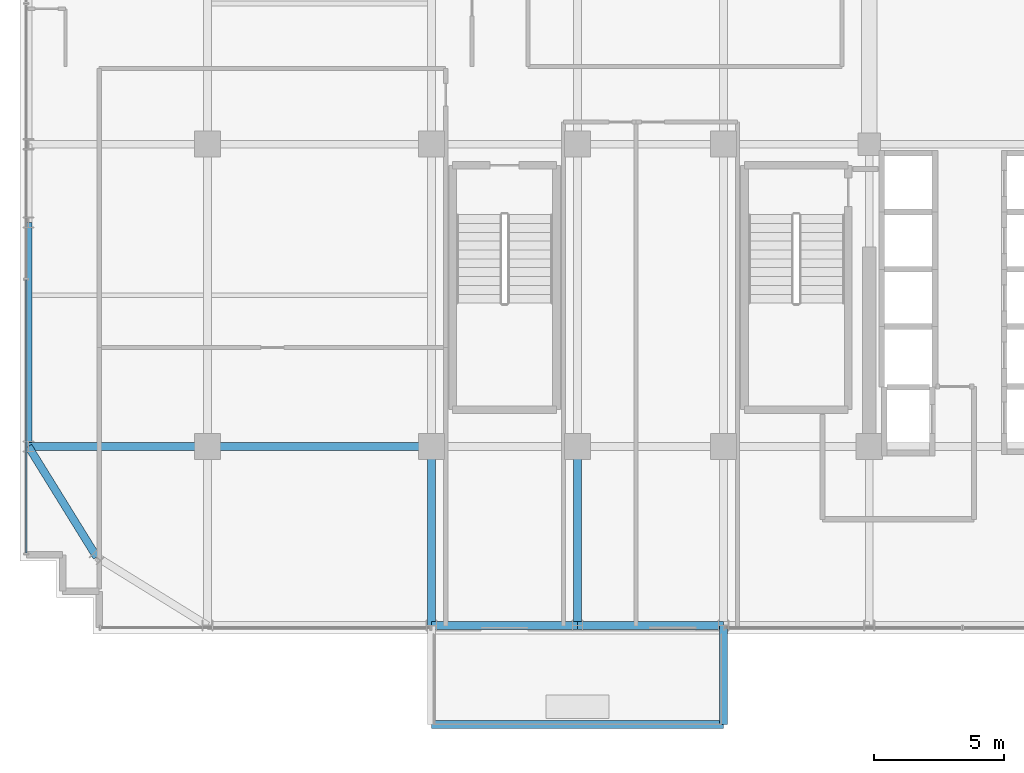
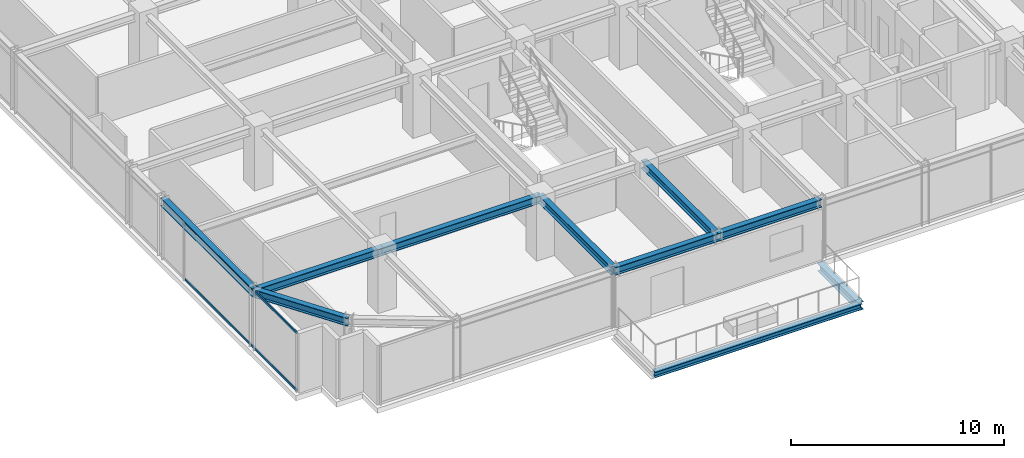
# One storey, part 5 of 36: 10 beams, 2 members, 1 element without a shape of its own.
"""IFC4 building model written with IfcOpenShell, lengths in metres."""

from ifc_helpers import new_model, si_unit, direction, frame, origin, origin_2d, place, context, subcontext, project, spatial, hollow_rectangle, i_section, extrude, source, transform, mapped, material, material_profile, profile_set, type_object, element, aggregate, save


model = new_model("IFC4")

# Units and contexts
model_context = context("Model", 3, precision=1e-05, world=origin(), true_north=direction((0.0, 1.0)))
body_context = subcontext(model_context, "Body", "Model", "MODEL_VIEW")
ifc_project = project(units=[si_unit("LENGTHUNIT", "METRE"), si_unit("AREAUNIT", "SQUARE_METRE"), si_unit("VOLUMEUNIT", "CUBIC_METRE"), si_unit("PLANEANGLEUNIT", "RADIAN"), si_unit("MASSUNIT", "GRAM", prefix="KILO")], contexts=[model_context])

# Site, building, storey
site_placement = place(None, origin())
site = spatial("IfcSite", under=ifc_project, at=site_placement, CompositionType="ELEMENT")
building_placement = place(site_placement, origin())
building = spatial("IfcBuilding", under=site, at=building_placement, Name="Nahalor Promenade Grand Hotel", CompositionType="ELEMENT")
storey_placement = place(building_placement, frame((0.0, 0.0, 253.0)))
storey = spatial("IfcBuildingStorey", under=building, at=storey_placement, Name="L65", CompositionType="ELEMENT", Elevation=253.0)

# Beams
ifc_material_1 = material(Name="Steel S355JR", Category="steel")
ifc_material_profile_1 = material_profile(ifc_material_1, i_section(OverallWidth=0.3, OverallDepth=0.32, WebThickness=0.0115, FlangeThickness=0.0205, at=origin_2d()), Name="HEB 320")
ifc_profile_set_1 = profile_set([ifc_material_profile_1], Name="Steel S355JR")
beam_type_1 = type_object("IfcBeamType", Name="Beam-BalcEdge-HEB320", PredefinedType="SPANDREL", material=ifc_profile_set_1)
shared_shape_1 = source(origin(), body_context, "Body", "SweptSolid", [
    extrude(i_section(OverallWidth=0.3, OverallDepth=0.32, WebThickness=0.0115, FlangeThickness=0.0205, at=origin_2d()), origin(), (0.0, 0.0, 1.0), 11.199951171875),
])
beam_1_placement = place(storey_placement, frame((-8.39990234375, -27.669921875, -0.43994140625), z_axis=(1.0, 0.0, 0.0), x_axis=(0.0, 1.0, 0.0)))
element("IfcBeam", 1, at=beam_1_placement, inside=storey, type_object=beam_type_1, Name="BM-L65-BC-01-F", PredefinedType="SPANDREL", context=body_context, shape_type="MappedRepresentation", body=[
    mapped(shared_shape_1, transform((0.0, 0.0, 0.0), scale=1.0)),
])
ifc_material_profile_2 = material_profile(ifc_material_1, i_section(OverallWidth=0.3, OverallDepth=0.45, WebThickness=0.014, FlangeThickness=0.026, at=origin_2d()), Name="HEB 450")
ifc_profile_set_2 = profile_set([ifc_material_profile_2], Name="Steel S355JR")
beam_type_2 = type_object("IfcBeamType", Name="Beam-Outrigger-HEB450", PredefinedType="BEAM", material=ifc_profile_set_2)
shared_shape_2 = source(origin(), body_context, "Body", "SweptSolid", [
    extrude(i_section(OverallWidth=0.3, OverallDepth=0.45, WebThickness=0.014, FlangeThickness=0.026, at=origin_2d()), origin(), (0.0, 0.0, 1.0), 3.7900390625),
])
beam_2_placement = place(storey_placement, frame((2.800048828125, -27.669921875, -0.5048828125), z_axis=(0.0, 1.0, 0.0), x_axis=(-1.0, 0.0, 0.0)))
element("IfcBeam", 2, at=beam_2_placement, inside=storey, type_object=beam_type_2, Name="BM-L65-BC-01-2", PredefinedType="BEAM", context=body_context, shape_type="MappedRepresentation", body=[
    mapped(shared_shape_2, transform((0.0, 0.0, 0.0), scale=1.0)),
])
ifc_material_profile_3 = material_profile(ifc_material_1, i_section(OverallWidth=0.3, OverallDepth=0.45, WebThickness=0.014, FlangeThickness=0.026, at=origin_2d()), Name="HEB 450")
ifc_profile_set_3 = profile_set([ifc_material_profile_3], Name="Steel S355JR")
beam_type_3 = type_object("IfcBeamType", Name="Beam-Spandrel-HEB450", PredefinedType="SPANDREL", material=ifc_profile_set_3)
shared_shape_3 = source(origin(), body_context, "Body", "SweptSolid", [
    extrude(i_section(OverallWidth=0.3, OverallDepth=0.45, WebThickness=0.014, FlangeThickness=0.026, at=origin_2d()), origin(), (0.0, 0.0, 1.0), 8.60009765625),
])
beam_3_placement = place(storey_placement, frame((-23.8798828125, -17.0, 3.18505859375), z_axis=(0.0, 1.0, 0.0), x_axis=(-1.0, 0.0, 0.0)))
element("IfcBeam", 3, at=beam_3_placement, inside=storey, type_object=beam_type_3, Name="BM-L65-SP-W-0", PredefinedType="SPANDREL", context=body_context, shape_type="MappedRepresentation", body=[
    mapped(shared_shape_3, transform((0.0, 0.0, 0.0), scale=1.0)),
])
shared_shape_4 = source(origin(), body_context, "Body", "SweptSolid", [
    extrude(i_section(OverallWidth=0.3, OverallDepth=0.45, WebThickness=0.014, FlangeThickness=0.026, at=origin_2d()), origin(), (0.0, 0.0, 1.0), 5.599853515625),
])
beam_4_placement = place(storey_placement, frame((-8.39990234375, -23.8798828125, 3.18505859375), z_axis=(1.0, 0.0, 0.0), x_axis=(0.0, 1.0, 0.0)))
element("IfcBeam", 4, at=beam_4_placement, inside=storey, type_object=beam_type_3, Name="BM-L65-SP-S-1", PredefinedType="SPANDREL", context=body_context, shape_type="MappedRepresentation", body=[
    mapped(shared_shape_4, transform((0.0, 0.0, 0.0), scale=1.0)),
])
shared_shape_5 = source(origin(), body_context, "Body", "SweptSolid", [
    extrude(i_section(OverallWidth=0.3, OverallDepth=0.45, WebThickness=0.014, FlangeThickness=0.026, at=origin_2d()), origin(), (0.0, 0.0, 1.0), 5.60009765625),
])
beam_5_placement = place(storey_placement, frame((-2.800048828125, -23.8798828125, 3.18505859375), z_axis=(1.0, 0.0, 0.0), x_axis=(0.0, 1.0, 0.0)))
element("IfcBeam", 5, at=beam_5_placement, inside=storey, type_object=beam_type_3, Name="BM-L65-SP-S-2", PredefinedType="SPANDREL", context=body_context, shape_type="MappedRepresentation", body=[
    mapped(shared_shape_5, transform((0.0, 0.0, 0.0), scale=1.0)),
])
shared_shape_6 = source(origin(), body_context, "Body", "SweptSolid", [
    extrude(i_section(OverallWidth=0.3, OverallDepth=0.45, WebThickness=0.014, FlangeThickness=0.026, at=origin_2d()), origin(), (0.0, 0.0, 1.0), 4.997802734375),
])
beam_6_placement = place(storey_placement, frame((-21.25, -21.25, 3.18505859375), z_axis=(-0.526199891161, 0.850360908404, 0.0), x_axis=(-0.850360908404, -0.526199891161, 0.0)))
element("IfcBeam", 6, at=beam_6_placement, inside=storey, type_object=beam_type_3, Name="BM-L65-SPC-SW-2", PredefinedType="SPANDREL", context=body_context, shape_type="MappedRepresentation", body=[
    mapped(shared_shape_6, transform((0.0, 0.0, 0.0), scale=1.0)),
])
ifc_material_profile_4 = material_profile(ifc_material_1, i_section(OverallWidth=0.3, OverallDepth=0.45, WebThickness=0.014, FlangeThickness=0.026, at=origin_2d()), Name="HEB 450")
ifc_profile_set_4 = profile_set([ifc_material_profile_4], Name="Steel S355JR")
beam_type_4 = type_object("IfcBeamType", Name="Beam-Girder-HEB450", PredefinedType="BEAM", material=ifc_profile_set_4)
shared_shape_7 = source(origin(), body_context, "Body", "SweptSolid", [
    extrude(i_section(OverallWidth=0.3, OverallDepth=0.45, WebThickness=0.014, FlangeThickness=0.026, at=origin_2d()), origin(), (0.0, 0.0, 1.0), 6.8798828125),
])
for number, where, z_axis, x_axis, name in (
    (7, (-23.8798828125, -17.0, 3.18505859375), (1.0, 0.0, 0.0), (0.0, 1.0, 0.0), "BM-L65-GX-0-0"),
    (8, (-8.39990234375, -23.8798828125, 3.18505859375), (0.0, 1.0, 0.0), (-1.0, 0.0, 0.0), "BM-L65-GY-1-0"),
    (9, (-2.800048828125, -23.8798828125, 3.18505859375), (0.0, 1.0, 0.0), (-1.0, 0.0, 0.0), "BM-L65-GY-2-0"),
):
    element("IfcBeam", number, at=place(storey_placement, frame(where, z_axis=z_axis, x_axis=x_axis)), inside=storey, type_object=beam_type_4, Name=name, PredefinedType="BEAM", context=body_context, shape_type="MappedRepresentation", body=[
        mapped(shared_shape_7, transform((0.0, 0.0, 0.0), scale=1.0)),
    ])
shared_shape_8 = source(origin(), body_context, "Body", "SweptSolid", [
    extrude(i_section(OverallWidth=0.3, OverallDepth=0.45, WebThickness=0.014, FlangeThickness=0.026, at=origin_2d()), origin(), (0.0, 0.0, 1.0), 8.60009765625),
])
beam_7_placement = place(storey_placement, frame((-17.0, -17.0, 3.18505859375), z_axis=(1.0, 0.0, 0.0), x_axis=(0.0, 1.0, 0.0)))
element("IfcBeam", 10, at=beam_7_placement, inside=storey, type_object=beam_type_4, Name="BM-L65-GX-0-1", PredefinedType="BEAM", context=body_context, shape_type="MappedRepresentation", body=[
    mapped(shared_shape_8, transform((0.0, 0.0, 0.0), scale=1.0)),
])

# Curtain wall, members
ifc_material_2 = material(Name="Anodised Bronze Aluminium EN AW-6063 T6", Category="aluminium")
curtain_wall_type = type_object("IfcCurtainWallType", Name="CW2 Typical Hotel Flush Bronze Unitised Curtain Wall", PredefinedType="USERDEFINED", material=ifc_material_2)
curtain_wall_placement = place(storey_placement, origin())
curtain_wall = element("IfcCurtainWall", 11, at=curtain_wall_placement, inside=storey, type_object=curtain_wall_type, Name="L65 Curtain Wall CW-L65-W-1", ObjectType="UNITISED_CURTAIN_WALL", PredefinedType="USERDEFINED")
ifc_material_profile_5 = material_profile(ifc_material_2, hollow_rectangle(XDim=0.065, YDim=0.13, WallThickness=0.004, at=origin_2d()), Name="CWT 65x130x4")
ifc_profile_set_5 = profile_set([ifc_material_profile_5], Name="Anodised Bronze Aluminium EN AW-6063 T6")
member_type = type_object("IfcMemberType", Name="CWT2 Typical Bronze Transom 65x130", PredefinedType="USERDEFINED", material=ifc_profile_set_5)
shared_shape_9 = source(origin(), body_context, "Body", "SweptSolid", [
    extrude(hollow_rectangle(XDim=0.065, YDim=0.13, WallThickness=0.004, at=origin_2d()), origin(), (0.0, 0.0, 1.0), 10.482421875),
])
member_1_placement = place(storey_placement, frame((-23.9599609375, -21.094970703125, 0.06494140625), z_axis=(0.0, 1.0, 0.0), x_axis=(-1.0, 0.0, 0.0)))
member_1 = element("IfcMember", 12, at=member_1_placement, type_object=member_type, Name="CW-L65-W-1 Transom 0-0", ObjectType="TRANSOM", PredefinedType="USERDEFINED", context=body_context, shape_type="MappedRepresentation", body=[
    mapped(shared_shape_9, transform((0.0, 0.0, 0.0), scale=1.0)),
])
member_2_placement = place(storey_placement, frame((-23.9599609375, -21.094970703125, 3.344970703125), z_axis=(0.0, 1.0, 0.0), x_axis=(-1.0, 0.0, 0.0)))
member_2 = element("IfcMember", 13, at=member_2_placement, type_object=member_type, Name="CW-L65-W-1 Transom 0-1", ObjectType="TRANSOM", PredefinedType="USERDEFINED", context=body_context, shape_type="MappedRepresentation", body=[
    mapped(shared_shape_9, transform((0.0, 0.0, 0.0), scale=1.0)),
])
aggregate(curtain_wall, [member_1, member_2])

save(model, "model.ifc")
